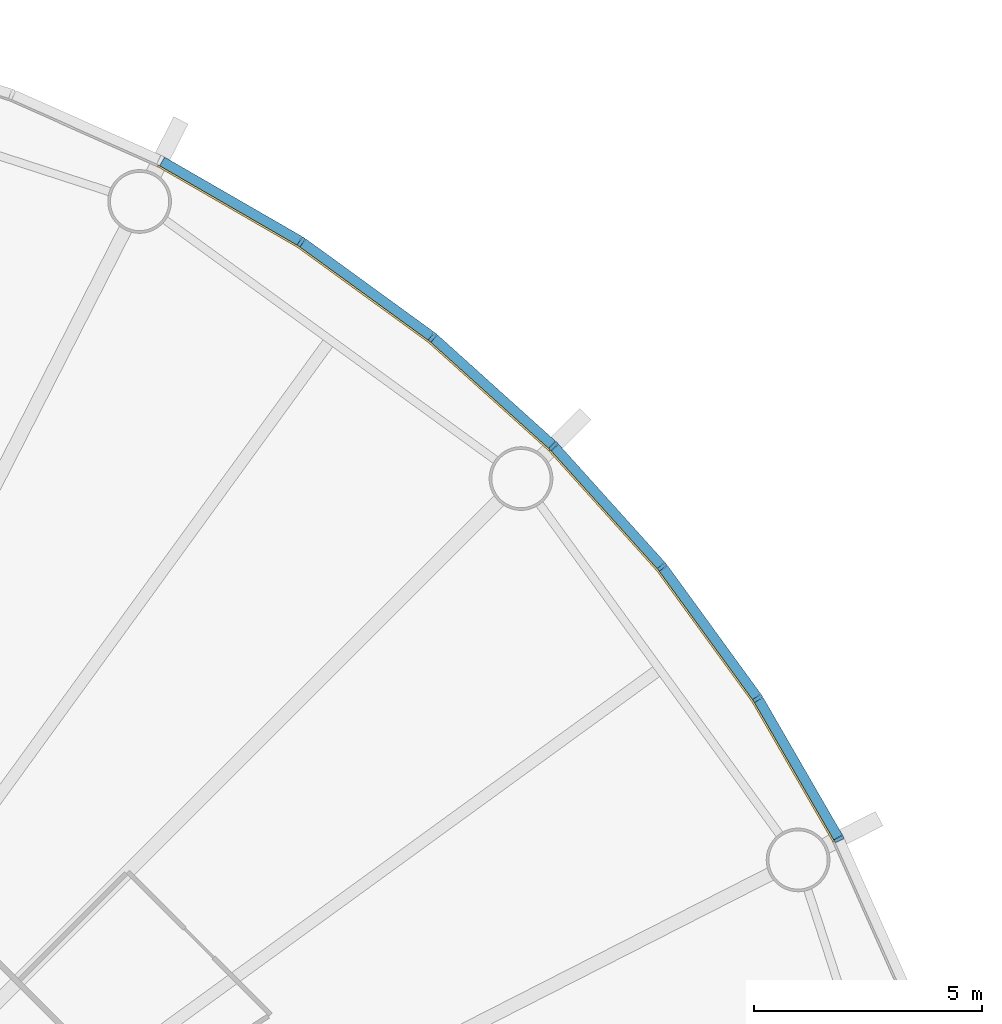
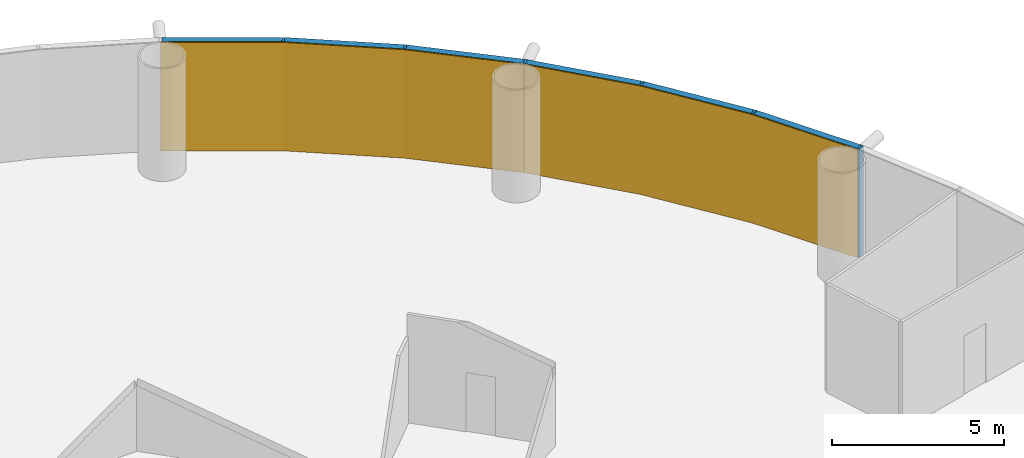
# One storey, part 9 of 12: 12 members, 2 curtain walls.
"""IFC4 building model written with IfcOpenShell, lengths in metres."""

from ifc_helpers import new_model, si_unit, direction, frame, origin, origin_2d, place, context, subcontext, project, spatial, polyline, rectangle, outline, extrude, material, layer, layer_set, material_profile, profile_set, type_object, element, aggregate, save


model = new_model("IFC4")

# Units and contexts
model_context = context("Model", 3, precision=1e-05, world=origin(), true_north=direction((0.0, 1.0)))
body_context = subcontext(model_context, "Body", "Model", "MODEL_VIEW")
ifc_project = project(units=[si_unit("LENGTHUNIT", "METRE"), si_unit("AREAUNIT", "SQUARE_METRE"), si_unit("VOLUMEUNIT", "CUBIC_METRE"), si_unit("PLANEANGLEUNIT", "RADIAN"), si_unit("MASSUNIT", "GRAM", prefix="KILO")], contexts=[model_context])

# Member
ifc_material_1 = material(Name="Anodised aluminium", Category="aluminium")
ifc_material_profile_1 = material_profile(ifc_material_1, rectangle(XDim=0.074951171875, YDim=0.219970703125, at=origin_2d()), Name="Mullion 75 x 220 mm anodised aluminium")
ifc_profile_set_1 = profile_set([ifc_material_profile_1], Name="Anodised aluminium")
member_type_1 = type_object("IfcMemberType", Name="Mullion 75 x 220 mm anodised aluminium", PredefinedType="MULLION", material=ifc_profile_set_1)
site_placement = place(None, origin())
building_placement = place(site_placement, origin())
storey_placement = place(building_placement, frame((0.0, 0.0, 70.0)))
member_1_placement = place(storey_placement, frame((120.392333984375, 95.485595703125, 0.0), z_axis=(0.0, 0.0, 1.0), x_axis=(-0.45399049974, 0.891006524188, 0.0)))
member_1 = element("IfcMember", 1, at=member_1_placement, type_object=member_type_1, Name="MULLION L15-03", PredefinedType="MULLION", context=body_context, shape_type="SweptSolid", body=[
    extrude(rectangle(XDim=0.074951171875, YDim=0.219970703125, at=origin_2d()), origin(), (0.0, 0.0, 1.0), 3.85009765625),
])

member_2_placement = place(storey_placement, frame((118.60693359375, 98.57763671875, 0.0), z_axis=(0.0, 0.0, 1.0), x_axis=(-0.544639035015, 0.838670567945, 0.0)))
member_2 = element("IfcMember", 2, at=member_2_placement, type_object=member_type_1, Name="MULLION L15-04", PredefinedType="MULLION", context=body_context, shape_type="SweptSolid", body=[
    extrude(rectangle(XDim=0.074951171875, YDim=0.219970703125, at=origin_2d()), origin(), (0.0, 0.0, 1.0), 3.85009765625),
])

member_3_placement = place(storey_placement, frame((116.508544921875, 101.466064453125, 0.0), z_axis=(0.0, 0.0, 1.0), x_axis=(-0.62932039105, 0.777145961457, 0.0)))
member_3 = element("IfcMember", 3, at=member_3_placement, type_object=member_type_1, Name="MULLION L15-05", PredefinedType="MULLION", context=body_context, shape_type="SweptSolid", body=[
    extrude(rectangle(XDim=0.074951171875, YDim=0.219970703125, at=origin_2d()), origin(), (0.0, 0.0, 1.0), 3.85009765625),
])

member_4_placement = place(storey_placement, frame((114.119384765625, 104.119384765625, 0.0), z_axis=(0.0, 0.0, 1.0), x_axis=(-0.707106781187, 0.707106781187, 0.0)))
member_4 = element("IfcMember", 4, at=member_4_placement, type_object=member_type_1, Name="MULLION L15-06", PredefinedType="MULLION", context=body_context, shape_type="SweptSolid", body=[
    extrude(rectangle(XDim=0.074951171875, YDim=0.219970703125, at=origin_2d()), origin(), (0.0, 0.0, 1.0), 3.85009765625),
])

member_5_placement = place(storey_placement, frame((111.466064453125, 106.508544921875, 0.0), z_axis=(0.0, 0.0, 1.0), x_axis=(-0.777145961457, 0.62932039105, 0.0)))
member_5 = element("IfcMember", 5, at=member_5_placement, type_object=member_type_1, Name="MULLION L15-07", PredefinedType="MULLION", context=body_context, shape_type="SweptSolid", body=[
    extrude(rectangle(XDim=0.074951171875, YDim=0.219970703125, at=origin_2d()), origin(), (0.0, 0.0, 1.0), 3.85009765625),
])

member_6_placement = place(storey_placement, frame((108.57763671875, 108.60693359375, 0.0), z_axis=(0.0, 0.0, 1.0), x_axis=(-0.838670567945, 0.544639035015, 0.0)))
member_6 = element("IfcMember", 6, at=member_6_placement, type_object=member_type_1, Name="MULLION L15-08", PredefinedType="MULLION", context=body_context, shape_type="SweptSolid", body=[
    extrude(rectangle(XDim=0.074951171875, YDim=0.219970703125, at=origin_2d()), origin(), (0.0, 0.0, 1.0), 3.85009765625),
])

ifc_material_2 = material(Name="Anodised aluminium", Category="aluminium")
ifc_material_profile_2 = material_profile(ifc_material_2, rectangle(XDim=0.219970703125, YDim=0.199951171875, at=origin_2d()), Name="Transom 200 x 220 mm anodised aluminium")
ifc_profile_set_2 = profile_set([ifc_material_profile_2], Name="Anodised aluminium")
member_type_2 = type_object("IfcMemberType", Name="Transom 200 x 220 mm anodised aluminium", PredefinedType="USERDEFINED", material=ifc_profile_set_2)
member_7_placement = place(storey_placement, frame((120.370849609375, 95.523193359375, 3.75), z_axis=(-0.500005538244, 0.866022206254, 0.0), x_axis=(-0.866022206254, -0.500005538244, 0.0)))
member_7 = element("IfcMember", 7, at=member_7_placement, type_object=member_type_2, Name="TRANSOM L15-03", ObjectType="TRANSOM", PredefinedType="USERDEFINED", context=body_context, shape_type="SweptSolid", body=[
    extrude(rectangle(XDim=0.219970703125, YDim=0.199951171875, at=origin_2d()), origin(), (0.0, 0.0, 1.0), 3.48388671875),
])

member_8_placement = place(storey_placement, frame((118.581787109375, 98.61279296875, 3.75), z_axis=(-0.587821627006, 0.80899056535, 0.0), x_axis=(-0.80899056535, -0.587821627006, 0.0)))
member_8 = element("IfcMember", 8, at=member_8_placement, type_object=member_type_2, Name="TRANSOM L15-04", ObjectType="TRANSOM", PredefinedType="USERDEFINED", context=body_context, shape_type="SweptSolid", body=[
    extrude(rectangle(XDim=0.219970703125, YDim=0.199951171875, at=origin_2d()), origin(), (0.0, 0.0, 1.0), 3.48388671875),
])

member_9_placement = place(storey_placement, frame((116.479736328125, 101.498291015625, 3.75), z_axis=(-0.669138930974, 0.743137329876, 0.0), x_axis=(-0.743137329876, -0.669138930974, 0.0)))
member_9 = element("IfcMember", 9, at=member_9_placement, type_object=member_type_2, Name="TRANSOM L15-05", ObjectType="TRANSOM", PredefinedType="USERDEFINED", context=body_context, shape_type="SweptSolid", body=[
    extrude(rectangle(XDim=0.219970703125, YDim=0.199951171875, at=origin_2d()), origin(), (0.0, 0.0, 1.0), 3.484130859375),
])

member_10_placement = place(storey_placement, frame((114.08740234375, 104.1484375, 3.75), z_axis=(-0.743137329876, 0.669138930974, 0.0), x_axis=(-0.669138930974, -0.743137329876, 0.0)))
member_10 = element("IfcMember", 10, at=member_10_placement, type_object=member_type_2, Name="TRANSOM L15-06", ObjectType="TRANSOM", PredefinedType="USERDEFINED", context=body_context, shape_type="SweptSolid", body=[
    extrude(rectangle(XDim=0.219970703125, YDim=0.199951171875, at=origin_2d()), origin(), (0.0, 0.0, 1.0), 3.484130859375),
])

member_11_placement = place(storey_placement, frame((111.43115234375, 106.533935546875, 3.75), z_axis=(-0.80899056535, 0.587821627006, 0.0), x_axis=(-0.587821627006, -0.80899056535, 0.0)))
member_11 = element("IfcMember", 11, at=member_11_placement, type_object=member_type_2, Name="TRANSOM L15-07", ObjectType="TRANSOM", PredefinedType="USERDEFINED", context=body_context, shape_type="SweptSolid", body=[
    extrude(rectangle(XDim=0.219970703125, YDim=0.199951171875, at=origin_2d()), origin(), (0.0, 0.0, 1.0), 3.48388671875),
])

member_12_placement = place(storey_placement, frame((108.540283203125, 108.62890625, 3.75), z_axis=(-0.866022206254, 0.500005538244, 0.0), x_axis=(-0.500005538244, -0.866022206254, 0.0)))
member_12 = element("IfcMember", 12, at=member_12_placement, type_object=member_type_2, Name="TRANSOM L15-08", ObjectType="TRANSOM", PredefinedType="USERDEFINED", context=body_context, shape_type="SweptSolid", body=[
    extrude(rectangle(XDim=0.219970703125, YDim=0.199951171875, at=origin_2d()), origin(), (0.0, 0.0, 1.0), 3.48388671875),
])

# Site, building, storey
site = spatial("IfcSite", under=ifc_project, at=site_placement, CompositionType="ELEMENT")
building = spatial("IfcBuilding", under=site, at=building_placement, Name="Entoto Ring Tower", CompositionType="ELEMENT")
storey = spatial("IfcBuildingStorey", under=building, at=storey_placement, Name="L15", CompositionType="ELEMENT", Elevation=70.0)

# Curtain wall
ifc_material_3 = material(Name="Clear low-iron glass", Category="glass")
ifc_layer = layer(ifc_material_3, 0.0400390625)
ifc_layer_set = layer_set([ifc_layer], Name="Clear low-iron glass")
curtain_wall_type = type_object("IfcCurtainWallType", Name="Curtain wall system CW1 glazing 40 mm", PredefinedType="NOTDEFINED", material=ifc_layer_set)
curtain_wall_1_placement = place(storey_placement, origin())
curtain_wall_1 = element("IfcCurtainWall", 13, at=curtain_wall_1_placement, inside=storey, type_object=curtain_wall_type, Name="CW1 L15-02", PredefinedType="NOTDEFINED", context=body_context, shape_type="SweptSolid", body=[
    extrude(outline(polyline([(120.294189453125, 95.435791015625), (118.514892578125, 98.517822265625), (116.4228515625, 101.39697265625), (114.041748046875, 104.041748046875), (114.013427734375, 104.013427734375), (116.391845703125, 101.37158203125), (118.481201171875, 98.495849609375), (120.258544921875, 95.41748046875), (120.294189453125, 95.435791015625)])), origin(), (0.0, 0.0, 1.0), 3.85009765625),
])

aggregate(curtain_wall_1, [member_1, member_2, member_3, member_7, member_8, member_9])

curtain_wall_2_placement = place(storey_placement, origin())
curtain_wall_2 = element("IfcCurtainWall", 14, at=curtain_wall_2_placement, inside=storey, type_object=curtain_wall_type, Name="CW1 L15-03", PredefinedType="NOTDEFINED", context=body_context, shape_type="SweptSolid", body=[
    extrude(outline(polyline([(114.041748046875, 104.041748046875), (111.39697265625, 106.4228515625), (108.517822265625, 108.514892578125), (105.435791015625, 110.294189453125), (105.41748046875, 110.258544921875), (108.495849609375, 108.481201171875), (111.37158203125, 106.391845703125), (114.013427734375, 104.013427734375), (114.041748046875, 104.041748046875)])), origin(), (0.0, 0.0, 1.0), 3.85009765625),
])

aggregate(curtain_wall_2, [member_4, member_5, member_6, member_10, member_11, member_12])

save(model, "model.ifc")
